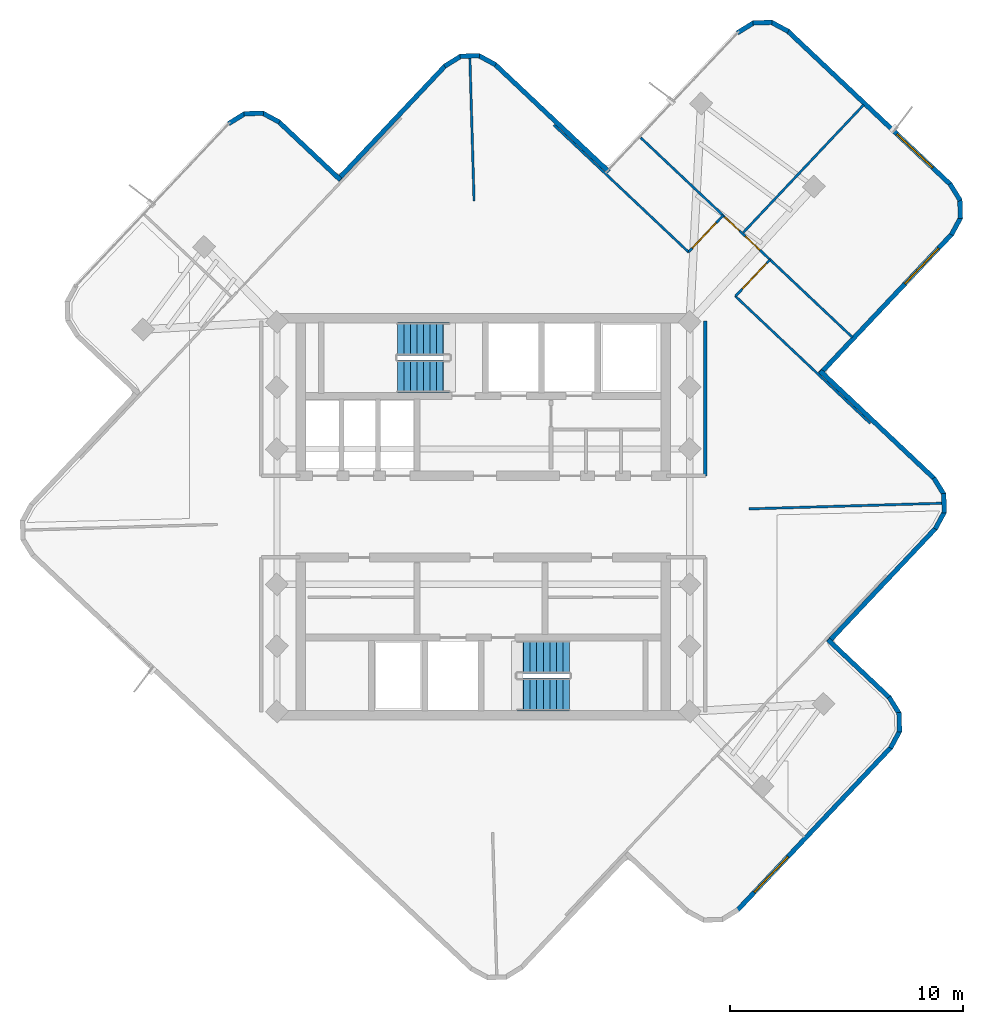
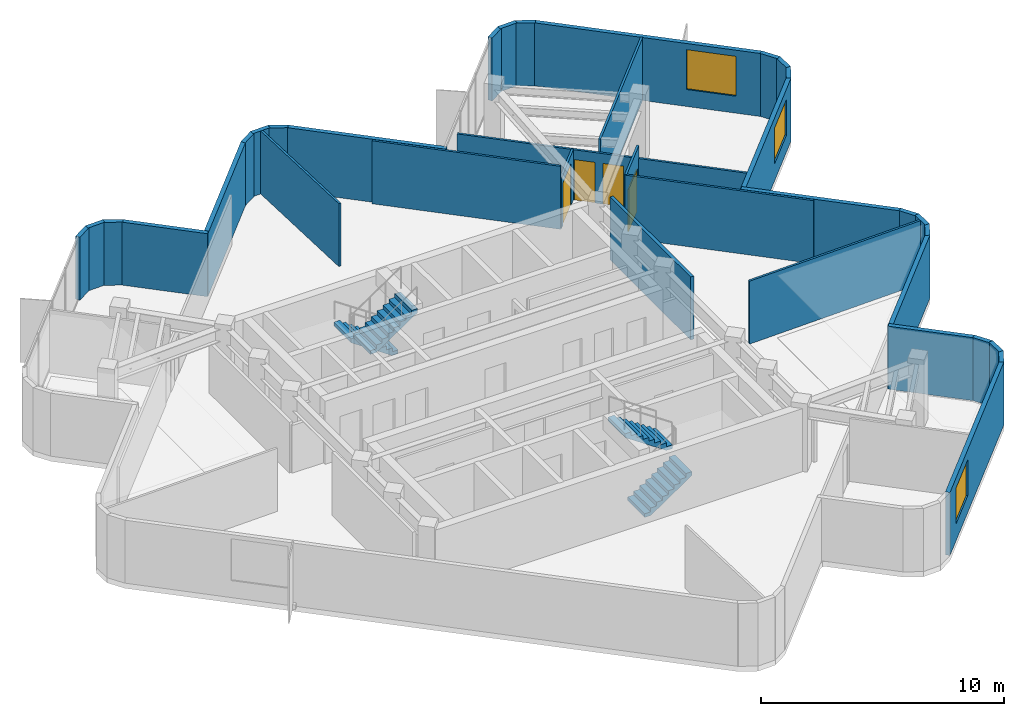
# One storey, part 7 of 10: 36 walls, 4 doors, 4 stair flights, 3 windows, 7 openings, 2 elements without a shape of their own.
"""IFC4 building model written with IfcOpenShell, lengths in metres."""

from ifc_helpers import new_model, si_unit, direction, frame, frame_2d, origin, place, context, subcontext, project, spatial, polyline, rectangle, outline, extrude, material, layer, layer_set, type_object, element, fill, aggregate, save


model = new_model("IFC4")

# Units and contexts
model_context = context("Model", 3, precision=1e-05, world=origin(), true_north=direction((0.0, 1.0)))
body_context = subcontext(model_context, "Body", "Model", "MODEL_VIEW")
ifc_project = project(units=[si_unit("LENGTHUNIT", "METRE"), si_unit("AREAUNIT", "SQUARE_METRE"), si_unit("VOLUMEUNIT", "CUBIC_METRE"), si_unit("PLANEANGLEUNIT", "RADIAN"), si_unit("MASSUNIT", "GRAM", prefix="KILO")], contexts=[model_context])

# Site, building, storey
site_placement = place(None, origin())
site = spatial("IfcSite", under=ifc_project, at=site_placement, CompositionType="ELEMENT")
building_placement = place(site_placement, origin())
building = spatial("IfcBuilding", under=site, at=building_placement, Name="Solmarez Civic Tower", CompositionType="ELEMENT")
storey_placement = place(building_placement, frame((0.0, 0.0, 247.5)))
storey = spatial("IfcBuildingStorey", under=building, at=storey_placement, Name="L66", CompositionType="ELEMENT", Elevation=247.5)

# Walls
ifc_material_1 = material(Name="Precast concrete C40/50", Category="concrete")
ifc_layer_1 = layer(ifc_material_1, 0.199951171875)
ifc_layer_set_1 = layer_set([ifc_layer_1], Name="Precast concrete C40/50")
wall_type_1 = type_object("IfcWallType", Name="WALL-EXT-200", PredefinedType="SOLIDWALL", material=ifc_layer_set_1)
wall_1_placement = place(storey_placement, frame((-10.924072265625, 16.847900390625, 0.0), z_axis=(0.0, 0.0, 1.0), x_axis=(0.850947362812, 0.525250974033, 0.0)))
element("IfcWall", 1, at=wall_1_placement, inside=storey, type_object=wall_type_1, Name="L66 Exterior Precast Wall 18", PredefinedType="SOLIDWALL", context=body_context, shape_type="SweptSolid", body=[
    extrude(rectangle(XDim=0.838134765625, YDim=0.199951171875, at=frame_2d((0.4189453125, 0.0))), origin(), (0.0, 0.0, 1.0), 3.159912109375),
])
wall_2_placement = place(storey_placement, frame((-10.257080078125, 17.27392578125, 0.0), z_axis=(0.0, 0.0, 1.0), x_axis=(0.999534635062, 0.03050431627, 0.0)))
element("IfcWall", 2, at=wall_2_placement, inside=storey, type_object=wall_type_1, Name="L66 Exterior Precast Wall 19", PredefinedType="SOLIDWALL", context=body_context, shape_type="SweptSolid", body=[
    extrude(rectangle(XDim=0.824462890625, YDim=0.199951171875, at=frame_2d((0.412109375, 0.0))), origin(), (0.0, 0.0, 1.0), 3.159912109375),
])
wall_3_placement = place(storey_placement, frame((-9.47998046875, 17.31005859375, 0.0), z_axis=(0.0, 0.0, 1.0), x_axis=(0.880199822755, -0.474603278561, 0.0)))
element("IfcWall", 3, at=wall_3_placement, inside=storey, type_object=wall_type_1, Name="L66 Exterior Precast Wall 20", PredefinedType="SOLIDWALL", context=body_context, shape_type="SweptSolid", body=[
    extrude(rectangle(XDim=0.83837890625, YDim=0.199951171875, at=frame_2d((0.419189453125, 0.0))), origin(), (0.0, 0.0, 1.0), 3.159912109375),
])
wall_4_placement = place(storey_placement, frame((-8.781982421875, 16.94091796875, 0.0), z_axis=(0.0, 0.0, 1.0), x_axis=(0.727388601412, -0.686225781019, 0.0)))
element("IfcWall", 4, at=wall_4_placement, inside=storey, type_object=wall_type_1, Name="L66 Exterior Precast Wall 21", PredefinedType="SOLIDWALL", context=body_context, shape_type="SweptSolid", body=[
    extrude(rectangle(XDim=3.6416015625, YDim=0.199951171875, at=frame_2d((1.82080078125, 0.0))), origin(), (0.0, 0.0, 1.0), 3.159912109375),
])
wall_5_placement = place(storey_placement, frame((-6.24609375, 14.43896484375, 0.0), z_axis=(0.0, 0.0, 1.0), x_axis=(0.686109803758, 0.727497998064, 0.0)))
element("IfcWall", 5, at=wall_5_placement, inside=storey, type_object=wall_type_1, Name="L66 Exterior Precast Wall 24", PredefinedType="SOLIDWALL", context=body_context, shape_type="SweptSolid", body=[
    extrude(rectangle(XDim=6.742431640625, YDim=0.199951171875, at=frame_2d((3.37109375, 0.0))), origin(), (0.0, 0.0, 1.0), 3.159912109375),
])
wall_6_placement = place(storey_placement, frame((-1.657958984375, 19.31298828125, 0.0), z_axis=(0.0, 0.0, 1.0), x_axis=(0.850997215859, 0.52517019965, 0.0)))
element("IfcWall", 6, at=wall_6_placement, inside=storey, type_object=wall_type_1, Name="L66 Exterior Precast Wall 25", PredefinedType="SOLIDWALL", context=body_context, shape_type="SweptSolid", body=[
    extrude(rectangle(XDim=0.837646484375, YDim=0.199951171875, at=frame_2d((0.4189453125, 0.0))), origin(), (0.0, 0.0, 1.0), 3.159912109375),
])
wall_7_placement = place(storey_placement, frame((-0.990966796875, 19.739013671875, 0.0), z_axis=(0.0, 0.0, 1.0), x_axis=(0.999578691641, 0.029024803491, 0.0)))
element("IfcWall", 7, at=wall_7_placement, inside=storey, type_object=wall_type_1, Name="L66 Exterior Precast Wall 26", PredefinedType="SOLIDWALL", context=body_context, shape_type="SweptSolid", body=[
    extrude(rectangle(XDim=0.82421875, YDim=0.199951171875, at=frame_2d((0.412109375, 0.0))), origin(), (0.0, 0.0, 1.0), 3.159912109375),
])
wall_8_placement = place(storey_placement, frame((-0.214111328125, 19.77392578125, 0.0), z_axis=(0.0, 0.0, 1.0), x_axis=(0.880199822755, -0.474603278561, 0.0)))
element("IfcWall", 8, at=wall_8_placement, inside=storey, type_object=wall_type_1, Name="L66 Exterior Precast Wall 27", PredefinedType="SOLIDWALL", context=body_context, shape_type="SweptSolid", body=[
    extrude(rectangle(XDim=0.83837890625, YDim=0.199951171875, at=frame_2d((0.419189453125, 0.0))), origin(), (0.0, 0.0, 1.0), 3.159912109375),
])
wall_9_placement = place(storey_placement, frame((0.48388671875, 19.405029296875, 0.0), z_axis=(0.0, 0.0, 1.0), x_axis=(0.727574426042, -0.686028756372, 0.0)))
element("IfcWall", 9, at=wall_9_placement, inside=storey, type_object=wall_type_1, Name="L66 Exterior Precast Wall 28", PredefinedType="SOLIDWALL", context=body_context, shape_type="SweptSolid", body=[
    extrude(rectangle(XDim=6.740234375, YDim=0.199951171875, at=frame_2d((3.3701171875, 0.0))), origin(), (0.0, 0.0, 1.0), 3.159912109375),
])
wall_10_placement = place(storey_placement, frame((10.89208984375, 20.741943359375, 0.0), z_axis=(0.0, 0.0, 1.0), x_axis=(0.850997215859, 0.52517019965, 0.0)))
element("IfcWall", 10, at=wall_10_placement, inside=storey, type_object=wall_type_1, Name="L66 Exterior Precast Wall 32", PredefinedType="SOLIDWALL", context=body_context, shape_type="SweptSolid", body=[
    extrude(rectangle(XDim=0.837646484375, YDim=0.199951171875, at=frame_2d((0.4189453125, 0.0))), origin(), (0.0, 0.0, 1.0), 3.159912109375),
])
wall_11_placement = place(storey_placement, frame((11.55908203125, 21.16796875, 0.0), z_axis=(0.0, 0.0, 1.0), x_axis=(0.999534635062, 0.03050431627, 0.0)))
element("IfcWall", 11, at=wall_11_placement, inside=storey, type_object=wall_type_1, Name="L66 Exterior Precast Wall 33", PredefinedType="SOLIDWALL", context=body_context, shape_type="SweptSolid", body=[
    extrude(rectangle(XDim=0.824462890625, YDim=0.199951171875, at=frame_2d((0.412109375, 0.0))), origin(), (0.0, 0.0, 1.0), 3.159912109375),
])
wall_12_placement = place(storey_placement, frame((12.3359375, 21.2041015625, 0.0), z_axis=(0.0, 0.0, 1.0), x_axis=(0.880078176624, -0.474828814447, 0.0)))
element("IfcWall", 12, at=wall_12_placement, inside=storey, type_object=wall_type_1, Name="L66 Exterior Precast Wall 34", PredefinedType="SOLIDWALL", context=body_context, shape_type="SweptSolid", body=[
    extrude(rectangle(XDim=0.838623046875, YDim=0.199951171875, at=frame_2d((0.41943359375, 0.0))), origin(), (0.0, 0.0, 1.0), 3.159912109375),
])

# Wall, opening, window
wall_13_placement = place(storey_placement, frame((13.033935546875, 20.8349609375, 0.0), z_axis=(0.0, 0.0, 1.0), x_axis=(0.727480137234, -0.686128741513, 0.0)))
wall_13 = element("IfcWall", 13, at=wall_13_placement, inside=storey, type_object=wall_type_1, Name="L66 Exterior Precast Wall 35", PredefinedType="SOLIDWALL", context=body_context, shape_type="SweptSolid", body=[
    extrude(rectangle(XDim=9.62353515625, YDim=0.199951171875, at=frame_2d((4.811767578125, 0.0))), origin(), (0.0, 0.0, 1.0), 3.159912109375),
])
opening_1_placement = place(wall_13_placement, frame((6.4560546875, 0.0, 0.85009765625)))
opening_1 = element("IfcOpeningElement", 14, at=opening_1_placement, cuts=wall_13, Name="Opening W-03", PredefinedType="OPENING", context=body_context, shape_type="SweptSolid", body=[
    extrude(rectangle(XDim=2.10009765625, YDim=2.0, at=frame_2d((1.050048828125, 1.0))), frame((0.0, 0.10986328125, 0.0), z_axis=(0.0, -1.0, 0.0), x_axis=(1.0, 0.0, 0.0)), (0.0, 0.0, 1.0), 0.219970703125),
])
ifc_material_2 = material(Name="Solar Control Bronze-Tinted Insulating Glass", Category="glass")
window_type_1 = type_object("IfcWindowType", Name="WIN-2100X2000", PartitioningType="SINGLE_PANEL", PredefinedType="WINDOW", material=ifc_material_2)
window_1_placement = place(opening_1_placement, origin())
window_1 = element("IfcWindow", 15, at=window_1_placement, inside=storey, type_object=window_type_1, Name="L66 Exterior Facade Window 35", OverallHeight=2.0, OverallWidth=2.10009765625, PartitioningType="SINGLE_PANEL", PredefinedType="WINDOW", context=body_context, shape_type="SweptSolid", body=[
    extrude(rectangle(XDim=2.10009765625, YDim=2.0, at=frame_2d((1.050048828125, 1.0))), frame((0.0, 0.030029296875, 0.0), z_axis=(0.0, -1.0, 0.0), x_axis=(1.0, 0.0, 0.0)), (0.0, 0.0, 1.0), 0.06005859375),
])
fill(opening_1, window_1)

# Walls
wall_14_placement = place(storey_placement, frame((20.00390625, 14.27001953125, 0.0), z_axis=(0.0, 0.0, 1.0), x_axis=(0.525902672248, -0.85054475445, 0.0)))
element("IfcWall", 16, at=wall_14_placement, inside=storey, type_object=wall_type_1, Name="L66 Exterior Precast Wall 36", PredefinedType="SOLIDWALL", context=body_context, shape_type="SweptSolid", body=[
    extrude(rectangle(XDim=0.8369140625, YDim=0.199951171875, at=frame_2d((0.41845703125, 0.0))), origin(), (0.0, 0.0, 1.0), 3.159912109375),
])
wall_15_placement = place(storey_placement, frame((20.429931640625, 13.60400390625, 0.0), z_axis=(0.0, 0.0, 1.0), x_axis=(0.030468239346, -0.999535735425, 0.0)))
element("IfcWall", 17, at=wall_15_placement, inside=storey, type_object=wall_type_1, Name="L66 Exterior Precast Wall 37", PredefinedType="SOLIDWALL", context=body_context, shape_type="SweptSolid", body=[
    extrude(rectangle(XDim=0.825439453125, YDim=0.199951171875, at=frame_2d((0.41259765625, 0.0))), origin(), (0.0, 0.0, 1.0), 3.159912109375),
])
wall_16_placement = place(storey_placement, frame((20.466064453125, 12.825927734375, 0.0), z_axis=(0.0, 0.0, 1.0), x_axis=(-0.474603278561, -0.880199822755, 0.0)))
element("IfcWall", 18, at=wall_16_placement, inside=storey, type_object=wall_type_1, Name="L66 Exterior Precast Wall 38", PredefinedType="SOLIDWALL", context=body_context, shape_type="SweptSolid", body=[
    extrude(rectangle(XDim=0.83837890625, YDim=0.199951171875, at=frame_2d((0.419189453125, 0.0))), origin(), (0.0, 0.0, 1.0), 3.159912109375),
])

# Wall, opening, window
wall_17_placement = place(storey_placement, frame((20.096923828125, 12.1279296875, 0.0), z_axis=(0.0, 0.0, 1.0), x_axis=(-0.686187598971, -0.72742462085, 0.0)))
wall_17 = element("IfcWall", 19, at=wall_17_placement, inside=storey, type_object=wall_type_1, Name="L66 Exterior Precast Wall 39", PredefinedType="SOLIDWALL", context=body_context, shape_type="SweptSolid", body=[
    extrude(rectangle(XDim=8.2412109375, YDim=0.199951171875, at=frame_2d((4.12060546875, 0.0))), origin(), (0.0, 0.0, 1.0), 3.159912109375),
])
opening_2_placement = place(wall_17_placement, frame((0.85009765625, 0.0, 0.85009765625)))
opening_2 = element("IfcOpeningElement", 20, at=opening_2_placement, cuts=wall_17, Name="Opening W-07", PredefinedType="OPENING", context=body_context, shape_type="SweptSolid", body=[
    extrude(rectangle(XDim=2.10009765625, YDim=1.800048828125, at=frame_2d((1.050048828125, 0.89990234375))), frame((0.0, 0.10986328125, 0.0), z_axis=(0.0, -1.0, 0.0), x_axis=(1.0, 0.0, 0.0)), (0.0, 0.0, 1.0), 0.219970703125),
])
window_type_2 = type_object("IfcWindowType", Name="WIN-2100X1800", PartitioningType="SINGLE_PANEL", PredefinedType="WINDOW", material=ifc_material_2)
window_2_placement = place(opening_2_placement, origin())
window_2 = element("IfcWindow", 21, at=window_2_placement, inside=storey, type_object=window_type_2, Name="L66 Exterior Facade Window 39", OverallHeight=1.800048828125, OverallWidth=2.10009765625, PartitioningType="SINGLE_PANEL", PredefinedType="WINDOW", context=body_context, shape_type="SweptSolid", body=[
    extrude(rectangle(XDim=2.10009765625, YDim=1.800048828125, at=frame_2d((1.050048828125, 0.89990234375))), frame((0.0, 0.030029296875, 0.0), z_axis=(0.0, -1.0, 0.0), x_axis=(1.0, 0.0, 0.0)), (0.0, 0.0, 1.0), 0.06005859375),
])
fill(opening_2, window_2)

# Walls
wall_18_placement = place(storey_placement, frame((14.43896484375, 6.24609375, 0.0), z_axis=(0.0, 0.0, 1.0), x_axis=(0.727497998064, -0.686109803758, 0.0)))
element("IfcWall", 22, at=wall_18_placement, inside=storey, type_object=wall_type_1, Name="L66 Exterior Precast Wall 42", PredefinedType="SOLIDWALL", context=body_context, shape_type="SweptSolid", body=[
    extrude(rectangle(XDim=6.742431640625, YDim=0.199951171875, at=frame_2d((3.37109375, 0.0))), origin(), (0.0, 0.0, 1.0), 3.159912109375),
])
wall_19_placement = place(storey_placement, frame((19.31298828125, 1.657958984375, 0.0), z_axis=(0.0, 0.0, 1.0), x_axis=(0.52517019965, -0.850997215859, 0.0)))
element("IfcWall", 23, at=wall_19_placement, inside=storey, type_object=wall_type_1, Name="L66 Exterior Precast Wall 43", PredefinedType="SOLIDWALL", context=body_context, shape_type="SweptSolid", body=[
    extrude(rectangle(XDim=0.837646484375, YDim=0.199951171875, at=frame_2d((0.4189453125, 0.0))), origin(), (0.0, 0.0, 1.0), 3.159912109375),
])
wall_20_placement = place(storey_placement, frame((19.739013671875, 0.990966796875, 0.0), z_axis=(0.0, 0.0, 1.0), x_axis=(0.029024803491, -0.999578691641, 0.0)))
element("IfcWall", 24, at=wall_20_placement, inside=storey, type_object=wall_type_1, Name="L66 Exterior Precast Wall 44", PredefinedType="SOLIDWALL", context=body_context, shape_type="SweptSolid", body=[
    extrude(rectangle(XDim=0.82421875, YDim=0.199951171875, at=frame_2d((0.412109375, 0.0))), origin(), (0.0, 0.0, 1.0), 3.159912109375),
])
wall_21_placement = place(storey_placement, frame((19.77392578125, 0.214111328125, 0.0), z_axis=(0.0, 0.0, 1.0), x_axis=(-0.474603278561, -0.880199822755, 0.0)))
element("IfcWall", 25, at=wall_21_placement, inside=storey, type_object=wall_type_1, Name="L66 Exterior Precast Wall 45", PredefinedType="SOLIDWALL", context=body_context, shape_type="SweptSolid", body=[
    extrude(rectangle(XDim=0.83837890625, YDim=0.199951171875, at=frame_2d((0.419189453125, 0.0))), origin(), (0.0, 0.0, 1.0), 3.159912109375),
])
wall_22_placement = place(storey_placement, frame((19.405029296875, -0.48388671875, 0.0), z_axis=(0.0, 0.0, 1.0), x_axis=(-0.686028756372, -0.727574426042, 0.0)))
element("IfcWall", 26, at=wall_22_placement, inside=storey, type_object=wall_type_1, Name="L66 Exterior Precast Wall 46", PredefinedType="SOLIDWALL", context=body_context, shape_type="SweptSolid", body=[
    extrude(rectangle(XDim=6.740234375, YDim=0.199951171875, at=frame_2d((3.3701171875, 0.0))), origin(), (0.0, 0.0, 1.0), 3.159912109375),
])
wall_23_placement = place(storey_placement, frame((14.778076171875, -5.27490234375, 0.0), z_axis=(0.0, 0.0, 1.0), x_axis=(0.727262285553, -0.686359649172, 0.0)))
element("IfcWall", 27, at=wall_23_placement, inside=storey, type_object=wall_type_1, Name="L66 Exterior Precast Wall 49", PredefinedType="SOLIDWALL", context=body_context, shape_type="SweptSolid", body=[
    extrude(rectangle(XDim=3.640869140625, YDim=0.199951171875, at=frame_2d((1.8203125, 0.0))), origin(), (0.0, 0.0, 1.0), 3.159912109375),
])
wall_24_placement = place(storey_placement, frame((17.39501953125, -7.736083984375, 0.0), z_axis=(0.0, 0.0, 1.0), x_axis=(0.52517019965, -0.850997215859, 0.0)))
element("IfcWall", 28, at=wall_24_placement, inside=storey, type_object=wall_type_1, Name="L66 Exterior Precast Wall 50", PredefinedType="SOLIDWALL", context=body_context, shape_type="SweptSolid", body=[
    extrude(rectangle(XDim=0.837646484375, YDim=0.199951171875, at=frame_2d((0.4189453125, 0.0))), origin(), (0.0, 0.0, 1.0), 3.159912109375),
])
wall_25_placement = place(storey_placement, frame((17.821044921875, -8.403076171875, 0.0), z_axis=(0.0, 0.0, 1.0), x_axis=(0.030208429442, -0.999543621255, 0.0)))
element("IfcWall", 29, at=wall_25_placement, inside=storey, type_object=wall_type_1, Name="L66 Exterior Precast Wall 51", PredefinedType="SOLIDWALL", context=body_context, shape_type="SweptSolid", body=[
    extrude(rectangle(XDim=0.824462890625, YDim=0.199951171875, at=frame_2d((0.412109375, 0.0))), origin(), (0.0, 0.0, 1.0), 3.159912109375),
])
wall_26_placement = place(storey_placement, frame((17.85693359375, -9.179931640625, 0.0), z_axis=(0.0, 0.0, 1.0), x_axis=(-0.474603278561, -0.880199822755, 0.0)))
element("IfcWall", 30, at=wall_26_placement, inside=storey, type_object=wall_type_1, Name="L66 Exterior Precast Wall 52", PredefinedType="SOLIDWALL", context=body_context, shape_type="SweptSolid", body=[
    extrude(rectangle(XDim=0.83837890625, YDim=0.199951171875, at=frame_2d((0.419189453125, 0.0))), origin(), (0.0, 0.0, 1.0), 3.159912109375),
])

# Wall, opening, window
wall_27_placement = place(storey_placement, frame((17.488037109375, -9.8779296875, 0.0), z_axis=(0.0, 0.0, 1.0), x_axis=(-0.686075032126, -0.727530789928, 0.0)))
wall_27 = element("IfcWall", 31, at=wall_27_placement, inside=storey, type_object=wall_type_1, Name="L66 Exterior Precast Wall 53", PredefinedType="SOLIDWALL", context=body_context, shape_type="SweptSolid", body=[
    extrude(rectangle(XDim=9.623046875, YDim=0.199951171875, at=frame_2d((4.8115234375, 0.0))), origin(), (0.0, 0.0, 1.0), 3.159912109375),
])
opening_3_placement = place(wall_27_placement, frame((6.4560546875, 0.0, 0.85009765625)))
opening_3 = element("IfcOpeningElement", 32, at=opening_3_placement, cuts=wall_27, Name="Opening W-07", PredefinedType="OPENING", context=body_context, shape_type="SweptSolid", body=[
    extrude(rectangle(XDim=2.10009765625, YDim=1.800048828125, at=frame_2d((1.050048828125, 0.89990234375))), frame((0.0, 0.10986328125, 0.0), z_axis=(0.0, -1.0, 0.0), x_axis=(1.0, 0.0, 0.0)), (0.0, 0.0, 1.0), 0.219970703125),
])
window_3_placement = place(opening_3_placement, origin())
window_3 = element("IfcWindow", 33, at=window_3_placement, inside=storey, type_object=window_type_2, Name="L66 Exterior Facade Window 53", OverallHeight=1.800048828125, OverallWidth=2.10009765625, PartitioningType="SINGLE_PANEL", PredefinedType="WINDOW", context=body_context, shape_type="SweptSolid", body=[
    extrude(rectangle(XDim=2.10009765625, YDim=1.800048828125, at=frame_2d((1.050048828125, 0.89990234375))), frame((0.0, 0.030029296875, 0.0), z_axis=(0.0, -1.0, 0.0), x_axis=(1.0, 0.0, 0.0)), (0.0, 0.0, 1.0), 0.06005859375),
])
fill(opening_3, window_3)

# Walls
ifc_material_3 = material(Name="Gypsum Board Acoustic Steel-Stud Partition", Category="steel")
ifc_layer_2 = layer(ifc_material_3, 0.14990234375)
ifc_layer_set_2 = layer_set([ifc_layer_2], Name="Gypsum Board Acoustic Steel-Stud Partition")
wall_type_2 = type_object("IfcWallType", Name="WALL-INT-FIRE-150", PredefinedType="PARTITIONING", material=ifc_layer_set_2)
wall_28_placement = place(storey_placement, frame((9.52001953125, 1.75, 0.0), z_axis=(0.0, 0.0, 1.0), x_axis=(0.0, 1.0, 0.0)))
element("IfcWall", 34, at=wall_28_placement, inside=storey, type_object=wall_type_2, Name="L66 Interior Partition CHW-L66-EN1", PredefinedType="PARTITIONING", context=body_context, shape_type="SweptSolid", body=[
    extrude(rectangle(XDim=6.6298828125, YDim=0.14990234375, at=frame_2d((3.31494140625, 0.0))), origin(), (0.0, 0.0, 1.0), 3.159912109375),
])
ifc_layer_3 = layer(ifc_material_3, 0.10009765625)
ifc_layer_set_3 = layer_set([ifc_layer_3], Name="Gypsum Board Acoustic Steel-Stud Partition")
wall_type_3 = type_object("IfcWallType", Name="WALL-INT-PART-100", PredefinedType="PARTITIONING", material=ifc_layer_set_3)
wall_29_placement = place(storey_placement, frame((-0.39697265625, 13.5400390625, 0.0), z_axis=(0.0, 0.0, 1.0), x_axis=(-0.029263699144, 0.999571726247, 0.0)))
element("IfcWall", 35, at=wall_29_placement, inside=storey, type_object=wall_type_3, Name="L66 Interior Partition PT-L66-QDIV-1", PredefinedType="PARTITIONING", context=body_context, shape_type="SweptSolid", body=[
    extrude(rectangle(XDim=6.148681640625, YDim=0.10009765625, at=frame_2d((3.07421875, 0.0))), origin(), (0.0, 0.0, 1.0), 3.159912109375),
])
wall_30_placement = place(storey_placement, frame((11.39501953125, 0.333984375, 0.0), z_axis=(0.0, 0.0, 1.0), x_axis=(0.999571055306, 0.029286607775, 0.0)))
element("IfcWall", 36, at=wall_30_placement, inside=storey, type_object=wall_type_3, Name="L66 Interior Partition PT-L66-QDIV-4", PredefinedType="PARTITIONING", context=body_context, shape_type="SweptSolid", body=[
    extrude(rectangle(XDim=8.294677734375, YDim=0.10009765625, at=frame_2d((4.1474609375, 0.0))), origin(), (0.0, 0.0, 1.0), 3.159912109375),
])
wall_31_placement = place(storey_placement, frame((8.806884765625, 11.3359375, 0.0), z_axis=(0.0, 0.0, 1.0), x_axis=(-0.727546923281, 0.68605792352, 0.0)))
element("IfcWall", 37, at=wall_31_placement, inside=storey, type_object=wall_type_3, Name="L66 Interior Partition PT-L66-E-EFL", PredefinedType="PARTITIONING", context=body_context, shape_type="SweptSolid", body=[
    extrude(rectangle(XDim=7.949951171875, YDim=0.10009765625, at=frame_2d((3.97509765625, 0.0))), origin(), (0.0, 0.0, 1.0), 3.159912109375),
])
wall_32_placement = place(storey_placement, frame((16.5849609375, 4.001953125, 0.0), z_axis=(0.0, 0.0, 1.0), x_axis=(-0.727485611578, 0.686122937196, 0.0)))
element("IfcWall", 38, at=wall_32_placement, inside=storey, type_object=wall_type_3, Name="L66 Interior Partition PT-L66-E-EFR", PredefinedType="PARTITIONING", context=body_context, shape_type="SweptSolid", body=[
    extrude(rectangle(XDim=7.95068359375, YDim=0.10009765625, at=frame_2d((3.975341796875, 0.0))), origin(), (0.0, 0.0, 1.0), 3.159912109375),
])

# Wall, opening, door
wall_33_placement = place(storey_placement, frame((10.281982421875, 12.9150390625, 0.0), z_axis=(0.0, 0.0, 1.0), x_axis=(-0.685949623464, -0.727649032205, 0.0)))
wall_33 = element("IfcWall", 39, at=wall_33_placement, inside=storey, type_object=wall_type_3, Name="L66 Interior Partition PT-L66-E-SL", PredefinedType="PARTITIONING", context=body_context, shape_type="SweptSolid", body=[
    extrude(rectangle(XDim=2.160400390625, YDim=0.10009765625, at=frame_2d((1.080078125, 0.0))), origin(), (0.0, 0.0, 1.0), 2.530029296875),
])
opening_4_placement = place(wall_33_placement, frame((0.43994140625, 0.0, 0.0)))
opening_4 = element("IfcOpeningElement", 40, at=opening_4_placement, cuts=wall_33, Name="Opening D-16", PredefinedType="OPENING", context=body_context, shape_type="SweptSolid", body=[
    extrude(rectangle(XDim=1.5, YDim=2.1201171875, at=frame_2d((0.75, 1.06005859375))), frame((0.0, 0.06005859375, 0.0), z_axis=(0.0, -1.0, 0.0), x_axis=(1.0, 0.0, 0.0)), (0.0, 0.0, 1.0), 0.1201171875),
])
ifc_material_4 = material(Name="Diplomatic Protocol Reception Door", Category="wood")
door_type_1 = type_object("IfcDoorType", Name="DOOR-INT-1500", OperationType="NOTDEFINED", PredefinedType="DOOR", material=ifc_material_4)
door_1_placement = place(opening_4_placement, origin())
door_1 = element("IfcDoor", 41, at=door_1_placement, inside=storey, type_object=door_type_1, Name="L66 Executive Chamber Public Reception Room East Door", OperationType="SINGLE_SWING_LEFT", OverallHeight=2.1201171875, OverallWidth=1.5, PredefinedType="DOOR", context=body_context, shape_type="SweptSolid", body=[
    extrude(rectangle(XDim=1.5, YDim=2.1201171875, at=frame_2d((0.75, 1.06005859375))), frame((0.0, 0.02490234375, 0.0), z_axis=(0.0, -1.0, 0.0), x_axis=(1.0, 0.0, 0.0)), (0.0, 0.0, 1.0), 0.050048828125),
])
fill(opening_4, door_1)

wall_34_placement = place(storey_placement, frame((10.80810546875, 9.449951171875, 0.0), z_axis=(0.0, 0.0, 1.0), x_axis=(0.686175284747, 0.727436236795, 0.0)))
wall_34 = element("IfcWall", 42, at=wall_34_placement, inside=storey, type_object=wall_type_3, Name="L66 Interior Partition PT-L66-E-SR", PredefinedType="PARTITIONING", context=body_context, shape_type="SweptSolid", body=[
    extrude(rectangle(XDim=2.15966796875, YDim=0.10009765625, at=frame_2d((1.079833984375, 0.0))), origin(), (0.0, 0.0, 1.0), 3.159912109375),
])
opening_5_placement = place(wall_34_placement, frame((0.43994140625, 0.0, 0.0)))
opening_5 = element("IfcOpeningElement", 43, at=opening_5_placement, cuts=wall_34, Name="Opening D-16", PredefinedType="OPENING", context=body_context, shape_type="SweptSolid", body=[
    extrude(rectangle(XDim=1.5, YDim=2.1201171875, at=frame_2d((0.75, 1.06005859375))), frame((0.0, 0.06005859375, 0.0), z_axis=(0.0, -1.0, 0.0), x_axis=(1.0, 0.0, 0.0)), (0.0, 0.0, 1.0), 0.1201171875),
])
door_2_placement = place(opening_5_placement, origin())
door_2 = element("IfcDoor", 44, at=door_2_placement, inside=storey, type_object=door_type_1, Name="L66 Delegation Concierge Room East Door", OperationType="SINGLE_SWING_RIGHT", OverallHeight=2.1201171875, OverallWidth=1.5, PredefinedType="DOOR", context=body_context, shape_type="SweptSolid", body=[
    extrude(rectangle(XDim=1.5, YDim=2.1201171875, at=frame_2d((0.75, 1.06005859375))), frame((0.0, 0.02490234375, 0.0), z_axis=(0.0, -1.0, 0.0), x_axis=(1.0, 0.0, 0.0)), (0.0, 0.0, 1.0), 0.050048828125),
])
fill(opening_5, door_2)

# Wall
wall_35_placement = place(storey_placement, frame((11.14501953125, 12.18310546875, 0.0), z_axis=(0.0, 0.0, 1.0), x_axis=(0.686088923395, 0.727517689953, 0.0)))
element("IfcWall", 45, at=wall_35_placement, inside=storey, type_object=wall_type_3, Name="L66 Interior Partition PT-L66-E-TM", PredefinedType="PARTITIONING", context=body_context, shape_type="SweptSolid", body=[
    extrude(rectangle(XDim=7.525390625, YDim=0.10009765625, at=frame_2d((3.7626953125, 0.0))), origin(), (0.0, 0.0, 1.0), 3.159912109375),
])

# Wall, openings, doors
wall_36_placement = place(storey_placement, frame((6.75, 16.24609375, 0.0), z_axis=(0.0, 0.0, 1.0), x_axis=(0.727488049341, -0.686120352464, 0.0)))
wall_36 = element("IfcWall", 46, at=wall_36_placement, inside=storey, type_object=wall_type_3, Name="L66 Interior Partition PT-L66-E-END", PredefinedType="PARTITIONING", context=body_context, shape_type="SweptSolid", body=[
    extrude(rectangle(XDim=12.470458984375, YDim=0.10009765625, at=frame_2d((6.2353515625, 0.0))), origin(), (0.0, 0.0, 1.0), 2.530029296875),
])
opening_6_placement = place(wall_36_placement, frame((6.155029296875, 0.0, 0.0)))
opening_6 = element("IfcOpeningElement", 47, at=opening_6_placement, cuts=wall_36, Name="Opening D-14", PredefinedType="OPENING", context=body_context, shape_type="SweptSolid", body=[
    extrude(rectangle(XDim=0.860107421875, YDim=2.0400390625, at=frame_2d((0.43017578125, 1.02001953125))), frame((0.0, 0.06005859375, 0.0), z_axis=(0.0, -1.0, 0.0), x_axis=(1.0, 0.0, 0.0)), (0.0, 0.0, 1.0), 0.1201171875),
])
opening_7_placement = place(wall_36_placement, frame((4.955078125, 0.0, 0.0)))
opening_7 = element("IfcOpeningElement", 48, at=opening_7_placement, cuts=wall_36, Name="Opening D-14", PredefinedType="OPENING", context=body_context, shape_type="SweptSolid", body=[
    extrude(rectangle(XDim=0.860107421875, YDim=2.0400390625, at=frame_2d((0.43017578125, 1.02001953125))), frame((0.0, 0.06005859375, 0.0), z_axis=(0.0, -1.0, 0.0), x_axis=(1.0, 0.0, 0.0)), (0.0, 0.0, 1.0), 0.1201171875),
])
ifc_material_5 = material(Name="Timber Storage and Pantry Door", Category="wood")
door_type_2 = type_object("IfcDoorType", Name="DOOR-INT-850", OperationType="NOTDEFINED", PredefinedType="DOOR", material=ifc_material_5)
door_3_placement = place(opening_6_placement, origin())
door_3 = element("IfcDoor", 49, at=door_3_placement, inside=storey, type_object=door_type_2, Name="L66 Ministry Conference Room Sixth East Door", OperationType="SINGLE_SWING_RIGHT", OverallHeight=2.0400390625, OverallWidth=0.860107421875, PredefinedType="DOOR", context=body_context, shape_type="SweptSolid", body=[
    extrude(rectangle(XDim=0.860107421875, YDim=2.0400390625, at=frame_2d((0.43017578125, 1.02001953125))), frame((0.0, 0.02490234375, 0.0), z_axis=(0.0, -1.0, 0.0), x_axis=(1.0, 0.0, 0.0)), (0.0, 0.0, 1.0), 0.050048828125),
])
fill(opening_6, door_3)
door_4_placement = place(opening_7_placement, origin())
door_4 = element("IfcDoor", 50, at=door_4_placement, inside=storey, type_object=door_type_2, Name="L66 Security Control Room Fifth East Door", OperationType="SINGLE_SWING_LEFT", OverallHeight=2.0400390625, OverallWidth=0.860107421875, PredefinedType="DOOR", context=body_context, shape_type="SweptSolid", body=[
    extrude(rectangle(XDim=0.860107421875, YDim=2.0400390625, at=frame_2d((0.43017578125, 1.02001953125))), frame((0.0, 0.02490234375, 0.0), z_axis=(0.0, -1.0, 0.0), x_axis=(1.0, 0.0, 0.0)), (0.0, 0.0, 1.0), 0.050048828125),
])
fill(opening_7, door_4)

# Stair, stair flights
ifc_material_6 = material(Name="Concrete C50/60", Category="concrete")
stair_type = type_object("IfcStairType", Name="STAIR-DOGLEG-140W-18R-1900", PredefinedType="HALF_TURN_STAIR", material=ifc_material_6)
stair_1_placement = place(storey_placement, origin())
stair_1 = element("IfcStair", 51, at=stair_1_placement, inside=storey, type_object=stair_type, Name="L66 North Core Protected Exit Stair ST-1", PredefinedType="HALF_TURN_STAIR")
stair_flight_type = type_object("IfcStairFlightType", Name="FLIGHT-DOGLEG-140W-9R-1900", PredefinedType="STRAIGHT", material=ifc_material_6)
stair_flight_1_placement = place(storey_placement, frame((-1.449951171875, 7.6201171875, 0.0), z_axis=(0.0, 0.0, 1.0), x_axis=(-1.0, 0.0, 0.0)))
stair_flight_1 = element("IfcStairFlight", 52, at=stair_flight_1_placement, type_object=stair_flight_type, Name="ST-1 flight 1", NumberOfRisers=9, NumberOfTreads=8, PredefinedType="STRAIGHT", RiserHeight=0.19, TreadLength=0.28, context=body_context, shape_type="SweptSolid", body=[
    extrude(outline(polyline([(0.0, 0.0), (0.0, 0.18994140625), (0.280029296875, 0.18994140625), (0.280029296875, 0.3798828125), (0.56005859375, 0.3798828125), (0.56005859375, 0.570068359375), (0.840087890625, 0.570068359375), (0.840087890625, 0.760009765625), (1.1201171875, 0.760009765625), (1.1201171875, 0.949951171875), (1.39990234375, 0.949951171875), (1.39990234375, 1.139892578125), (1.679931640625, 1.139892578125), (1.679931640625, 1.330078125), (1.9599609375, 1.330078125), (1.9599609375, 1.52001953125), (2.239990234375, 1.52001953125), (2.239990234375, 1.7099609375), (2.239990234375, 1.32666015625), (0.284912109375, 0.0), (0.0, 0.0)])), frame((0.0, 0.699951171875, 0.0), z_axis=(0.0, -1.0, 0.0), x_axis=(1.0, 0.0, 0.0)), (0.0, 0.0, 1.0), 1.39990234375),
])
stair_flight_2_placement = place(storey_placement, frame((-3.68994140625, 6.02001953125, 1.7099609375), z_axis=(0.0, 0.0, 1.0), x_axis=(1.0, 0.0, 0.0)))
stair_flight_2 = element("IfcStairFlight", 53, at=stair_flight_2_placement, type_object=stair_flight_type, Name="ST-1 flight 2", NumberOfRisers=9, NumberOfTreads=8, PredefinedType="STRAIGHT", RiserHeight=0.19, TreadLength=0.28, context=body_context, shape_type="SweptSolid", body=[
    extrude(outline(polyline([(0.0, 0.0), (0.0, 0.18994140625), (0.280029296875, 0.18994140625), (0.280029296875, 0.3798828125), (0.56005859375, 0.3798828125), (0.56005859375, 0.570068359375), (0.840087890625, 0.570068359375), (0.840087890625, 0.760009765625), (1.1201171875, 0.760009765625), (1.1201171875, 0.949951171875), (1.39990234375, 0.949951171875), (1.39990234375, 1.139892578125), (1.679931640625, 1.139892578125), (1.679931640625, 1.330078125), (1.9599609375, 1.330078125), (1.9599609375, 1.52001953125), (2.239990234375, 1.52001953125), (2.239990234375, 1.7099609375), (2.239990234375, 1.32666015625), (0.284912109375, 0.0), (0.0, 0.0)])), frame((0.0, 0.699951171875, 0.0), z_axis=(0.0, -1.0, 0.0), x_axis=(1.0, 0.0, 0.0)), (0.0, 0.0, 1.0), 1.39990234375),
])
aggregate(stair_1, [stair_flight_1, stair_flight_2])

stair_2_placement = place(storey_placement, origin())
stair_2 = element("IfcStair", 54, at=stair_2_placement, inside=storey, type_object=stair_type, Name="L66 South Core Protected Exit Stair ST-2", PredefinedType="HALF_TURN_STAIR")
stair_flight_3_placement = place(storey_placement, frame((1.449951171875, -7.6201171875, 0.0), z_axis=(0.0, 0.0, 1.0), x_axis=(1.0, 0.0, 0.0)))
stair_flight_3 = element("IfcStairFlight", 55, at=stair_flight_3_placement, type_object=stair_flight_type, Name="ST-2 flight 1", NumberOfRisers=9, NumberOfTreads=8, PredefinedType="STRAIGHT", RiserHeight=0.19, TreadLength=0.28, context=body_context, shape_type="SweptSolid", body=[
    extrude(outline(polyline([(0.0, 0.0), (0.0, 0.18994140625), (0.280029296875, 0.18994140625), (0.280029296875, 0.3798828125), (0.56005859375, 0.3798828125), (0.56005859375, 0.570068359375), (0.840087890625, 0.570068359375), (0.840087890625, 0.760009765625), (1.1201171875, 0.760009765625), (1.1201171875, 0.949951171875), (1.39990234375, 0.949951171875), (1.39990234375, 1.139892578125), (1.679931640625, 1.139892578125), (1.679931640625, 1.330078125), (1.9599609375, 1.330078125), (1.9599609375, 1.52001953125), (2.239990234375, 1.52001953125), (2.239990234375, 1.7099609375), (2.239990234375, 1.32666015625), (0.284912109375, 0.0), (0.0, 0.0)])), frame((0.0, 0.699951171875, 0.0), z_axis=(0.0, -1.0, 0.0), x_axis=(1.0, 0.0, 0.0)), (0.0, 0.0, 1.0), 1.39990234375),
])
stair_flight_4_placement = place(storey_placement, frame((3.68994140625, -6.02001953125, 1.7099609375), z_axis=(0.0, 0.0, 1.0), x_axis=(-1.0, 0.0, 0.0)))
stair_flight_4 = element("IfcStairFlight", 56, at=stair_flight_4_placement, type_object=stair_flight_type, Name="ST-2 flight 2", NumberOfRisers=9, NumberOfTreads=8, PredefinedType="STRAIGHT", RiserHeight=0.19, TreadLength=0.28, context=body_context, shape_type="SweptSolid", body=[
    extrude(outline(polyline([(0.0, 0.0), (0.0, 0.18994140625), (0.280029296875, 0.18994140625), (0.280029296875, 0.3798828125), (0.56005859375, 0.3798828125), (0.56005859375, 0.570068359375), (0.840087890625, 0.570068359375), (0.840087890625, 0.760009765625), (1.1201171875, 0.760009765625), (1.1201171875, 0.949951171875), (1.39990234375, 0.949951171875), (1.39990234375, 1.139892578125), (1.679931640625, 1.139892578125), (1.679931640625, 1.330078125), (1.9599609375, 1.330078125), (1.9599609375, 1.52001953125), (2.239990234375, 1.52001953125), (2.239990234375, 1.7099609375), (2.239990234375, 1.32666015625), (0.284912109375, 0.0), (0.0, 0.0)])), frame((0.0, 0.699951171875, 0.0), z_axis=(0.0, -1.0, 0.0), x_axis=(1.0, 0.0, 0.0)), (0.0, 0.0, 1.0), 1.39990234375),
])
aggregate(stair_2, [stair_flight_3, stair_flight_4])

save(model, "model.ifc")
